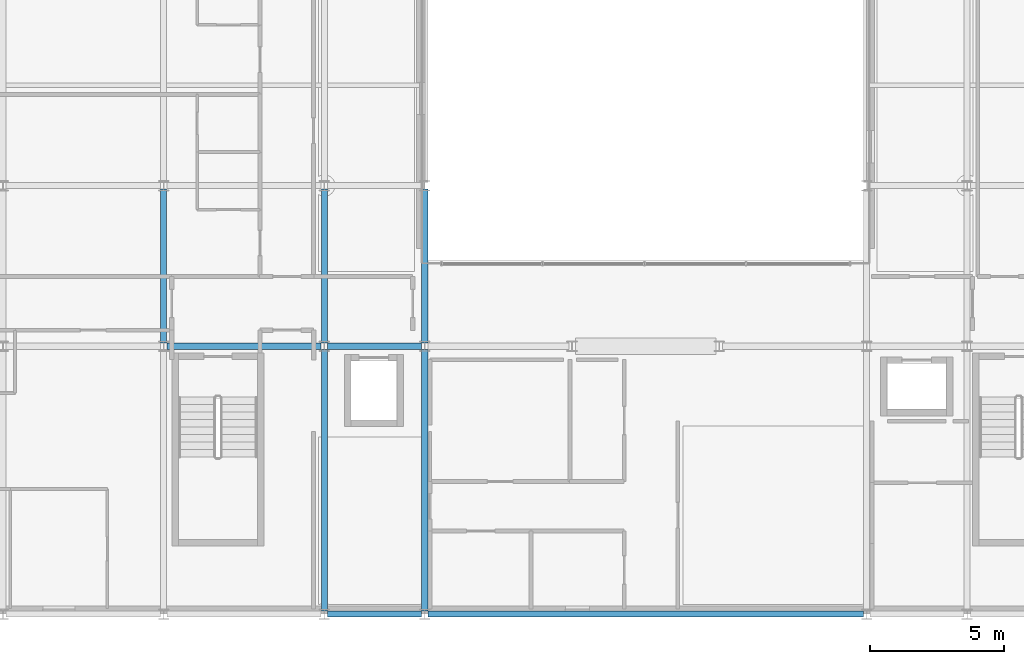
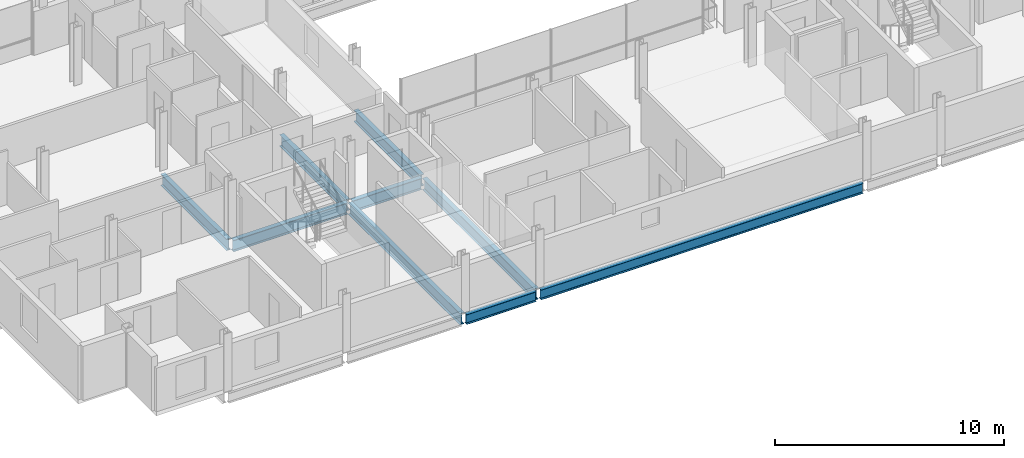
# One storey, part 4 of 38: 9 beams.
"""IFC4 building model written with IfcOpenShell, lengths in metres."""

from ifc_helpers import new_model, si_unit, direction, frame, origin, origin_2d, place, context, subcontext, project, spatial, i_section, extrude, material, material_profile, profile_set, type_object, element, save


model = new_model("IFC4")

# Units and contexts
model_context = context("Model", 3, precision=1e-05, world=origin(), true_north=direction((0.0, 1.0)))
body_context = subcontext(model_context, "Body", "Model", "MODEL_VIEW")
ifc_project = project(units=[si_unit("LENGTHUNIT", "METRE"), si_unit("AREAUNIT", "SQUARE_METRE"), si_unit("VOLUMEUNIT", "CUBIC_METRE"), si_unit("PLANEANGLEUNIT", "RADIAN"), si_unit("MASSUNIT", "GRAM", prefix="KILO")], contexts=[model_context])

# Site, building, storey
site_placement = place(None, origin())
site = spatial("IfcSite", under=ifc_project, at=site_placement, CompositionType="ELEMENT")
building_placement = place(site_placement, origin())
building = spatial("IfcBuilding", under=site, at=building_placement, Name="Brevholm Reach", CompositionType="ELEMENT")
storey_placement = place(building_placement, frame((0.0, 0.0, 172.800048828125)))
storey = spatial("IfcBuildingStorey", under=building, at=storey_placement, Name="L52", CompositionType="ELEMENT", Elevation=172.800048828125)

# Beams
ifc_material_1 = material(Name="Structural Steel S355J2", Category="steel")
ifc_material_profile_1 = material_profile(ifc_material_1, i_section(OverallWidth=0.209228515625, OverallDepth=0.533203125, WebThickness=0.010009765625, FlangeThickness=0.015625, FilletRadius=0.0126953125, at=origin_2d()), Name="UKB 533x210x92")
ifc_profile_set_1 = profile_set([ifc_material_profile_1], Name="Structural Steel S355J2")
beam_type_1 = type_object("IfcBeamType", Name="BM-SP533", PredefinedType="SPANDREL", material=ifc_profile_set_1)
beam_1_placement = place(storey_placement, frame((18.1201171875, 0.0, -0.4765625), z_axis=(1.0, 0.0, 0.0), x_axis=(0.0, 1.0, 0.0)))
element("IfcBeam", 1, at=beam_1_placement, inside=storey, type_object=beam_type_1, Name="L52 SP-02 Framing Beam", PredefinedType="SPANDREL", context=body_context, shape_type="SweptSolid", body=[
    extrude(i_section(OverallWidth=0.209228515625, OverallDepth=0.533203125, WebThickness=0.010009765625, FlangeThickness=0.015625, FilletRadius=0.0126953125, at=origin_2d()), origin(), (0.0, 0.0, 1.0), 3.509765625),
])
beam_2_placement = place(storey_placement, frame((21.8701171875, 0.0, -0.4765625), z_axis=(1.0, 0.0, 0.0), x_axis=(0.0, 1.0, 0.0)))
element("IfcBeam", 2, at=beam_2_placement, inside=storey, type_object=beam_type_1, Name="L52 SP-02 Framing Beam", PredefinedType="SPANDREL", context=body_context, shape_type="SweptSolid", body=[
    extrude(i_section(OverallWidth=0.209228515625, OverallDepth=0.533203125, WebThickness=0.010009765625, FlangeThickness=0.015625, FilletRadius=0.0126953125, at=origin_2d()), origin(), (0.0, 0.0, 1.0), 16.259765625),
])
ifc_material_2 = material(Name="Structural Steel S355J2", Category="steel")
ifc_material_profile_2 = material_profile(ifc_material_2, i_section(OverallWidth=0.22900390625, OverallDepth=0.6123046875, WebThickness=0.011962890625, FlangeThickness=0.01953125, FilletRadius=0.0126953125, at=origin_2d()), Name="UKB 610x229x125")
ifc_profile_set_2 = profile_set([ifc_material_profile_2], Name="Structural Steel S355J2")
beam_type_2 = type_object("IfcBeamType", Name="BM-SP610", PredefinedType="SPANDREL", material=ifc_profile_set_2)
beam_3_placement = place(storey_placement, frame((12.1201171875, 10.0, -0.51611328125), z_axis=(1.0, 0.0, 0.0), x_axis=(0.0, 1.0, 0.0)))
element("IfcBeam", 3, at=beam_3_placement, inside=storey, type_object=beam_type_2, Name="L52 SP-01 Framing Beam", PredefinedType="SPANDREL", context=body_context, shape_type="SweptSolid", body=[
    extrude(i_section(OverallWidth=0.22900390625, OverallDepth=0.6123046875, WebThickness=0.011962890625, FlangeThickness=0.01953125, FilletRadius=0.0126953125, at=origin_2d()), origin(), (0.0, 0.0, 1.0), 5.759765625),
])
beam_4_placement = place(storey_placement, frame((18.1201171875, 10.0, -0.51611328125), z_axis=(1.0, 0.0, 0.0), x_axis=(0.0, 1.0, 0.0)))
element("IfcBeam", 4, at=beam_4_placement, inside=storey, type_object=beam_type_2, Name="L52 SP-01 Framing Beam", PredefinedType="SPANDREL", context=body_context, shape_type="SweptSolid", body=[
    extrude(i_section(OverallWidth=0.22900390625, OverallDepth=0.6123046875, WebThickness=0.011962890625, FlangeThickness=0.01953125, FilletRadius=0.0126953125, at=origin_2d()), origin(), (0.0, 0.0, 1.0), 3.509765625),
])
beam_5_placement = place(storey_placement, frame((12.0, 10.1201171875, -0.51611328125), z_axis=(0.0, 1.0, 0.0), x_axis=(-1.0, 0.0, 0.0)))
element("IfcBeam", 5, at=beam_5_placement, inside=storey, type_object=beam_type_2, Name="L52 SP-01 Framing Beam", PredefinedType="SPANDREL", context=body_context, shape_type="SweptSolid", body=[
    extrude(i_section(OverallWidth=0.22900390625, OverallDepth=0.6123046875, WebThickness=0.011962890625, FlangeThickness=0.01953125, FilletRadius=0.0126953125, at=origin_2d()), origin(), (0.0, 0.0, 1.0), 5.759765625),
])
beam_6_placement = place(storey_placement, frame((18.0, 0.1201171875, -0.51611328125), z_axis=(0.0, 1.0, 0.0), x_axis=(-1.0, 0.0, 0.0)))
element("IfcBeam", 6, at=beam_6_placement, inside=storey, type_object=beam_type_2, Name="L52 SP-01 Framing Beam", PredefinedType="SPANDREL", context=body_context, shape_type="SweptSolid", body=[
    extrude(i_section(OverallWidth=0.22900390625, OverallDepth=0.6123046875, WebThickness=0.011962890625, FlangeThickness=0.01953125, FilletRadius=0.0126953125, at=origin_2d()), origin(), (0.0, 0.0, 1.0), 9.759765625),
])
beam_7_placement = place(storey_placement, frame((18.0, 10.1201171875, -0.51611328125), z_axis=(0.0, 1.0, 0.0), x_axis=(-1.0, 0.0, 0.0)))
element("IfcBeam", 7, at=beam_7_placement, inside=storey, type_object=beam_type_2, Name="L52 SP-01 Framing Beam", PredefinedType="SPANDREL", context=body_context, shape_type="SweptSolid", body=[
    extrude(i_section(OverallWidth=0.22900390625, OverallDepth=0.6123046875, WebThickness=0.011962890625, FlangeThickness=0.01953125, FilletRadius=0.0126953125, at=origin_2d()), origin(), (0.0, 0.0, 1.0), 5.759765625),
])
beam_8_placement = place(storey_placement, frame((21.75, 0.1201171875, -0.51611328125), z_axis=(0.0, 1.0, 0.0), x_axis=(-1.0, 0.0, 0.0)))
element("IfcBeam", 8, at=beam_8_placement, inside=storey, type_object=beam_type_2, Name="L52 SP-01 Framing Beam", PredefinedType="SPANDREL", context=body_context, shape_type="SweptSolid", body=[
    extrude(i_section(OverallWidth=0.22900390625, OverallDepth=0.6123046875, WebThickness=0.011962890625, FlangeThickness=0.01953125, FilletRadius=0.0126953125, at=origin_2d()), origin(), (0.0, 0.0, 1.0), 9.759765625),
])
beam_9_placement = place(storey_placement, frame((21.75, 10.1201171875, -0.51611328125), z_axis=(0.0, 1.0, 0.0), x_axis=(-1.0, 0.0, 0.0)))
element("IfcBeam", 9, at=beam_9_placement, inside=storey, type_object=beam_type_2, Name="L52 SP-01 Framing Beam", PredefinedType="SPANDREL", context=body_context, shape_type="SweptSolid", body=[
    extrude(i_section(OverallWidth=0.22900390625, OverallDepth=0.6123046875, WebThickness=0.011962890625, FlangeThickness=0.01953125, FilletRadius=0.0126953125, at=origin_2d()), origin(), (0.0, 0.0, 1.0), 5.759765625),
])

save(model, "model.ifc")
